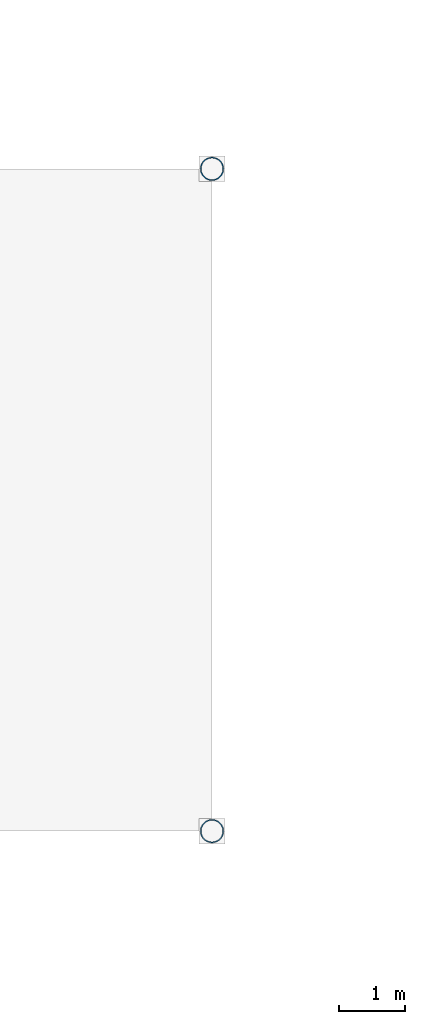
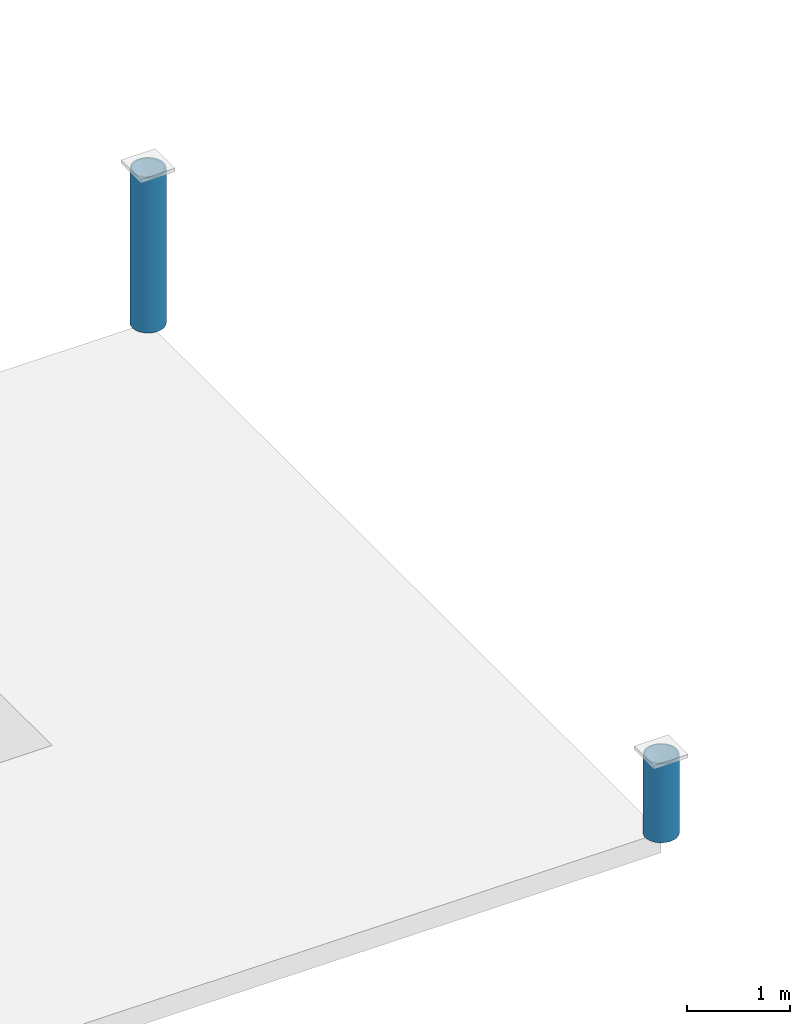
# One storey, part 2 of 23: 2 columns.
"""IFC4 building model written with IfcOpenShell, lengths in metres."""

from ifc_helpers import new_model, si_unit, direction, frame, origin, origin_2d, place, context, subcontext, project, spatial, hollow_circle, extrude, material, material_profile, profile_set, type_object, element, save


model = new_model("IFC4")

# Units and contexts
model_context = context("Model", 3, precision=1e-05, world=origin(), true_north=direction((0.0, 1.0)))
body_context = subcontext(model_context, "Body", "Model", "MODEL_VIEW")
ifc_project = project(units=[si_unit("LENGTHUNIT", "METRE"), si_unit("AREAUNIT", "SQUARE_METRE"), si_unit("VOLUMEUNIT", "CUBIC_METRE"), si_unit("PLANEANGLEUNIT", "RADIAN"), si_unit("MASSUNIT", "GRAM", prefix="KILO"), si_unit("THERMODYNAMICTEMPERATUREUNIT", "KELVIN"), si_unit("POWERUNIT", "WATT")], contexts=[model_context])

# Site, building, storey
site_placement = place(None, origin())
site = spatial("IfcSite", under=ifc_project, at=site_placement, CompositionType="ELEMENT")
building_placement = place(site_placement, origin())
building = spatial("IfcBuilding", under=site, at=building_placement, Name="Korenveer Ferry Terminal", CompositionType="ELEMENT")
storey_placement = place(building_placement, frame((0.0, 0.0, 14.39990234375)))
storey = spatial("IfcBuildingStorey", under=building, at=storey_placement, Name="L03", CompositionType="ELEMENT", Elevation=14.39990234375)

# Columns
ifc_material = material(Name="Steel S355", Category="steel")
ifc_material_profile = material_profile(ifc_material, hollow_circle(Radius=0.177734375, WallThickness=0.01611328125, at=origin_2d()), Name="CHS 355.6x16")
ifc_profile_set = profile_set([ifc_material_profile], Name="Steel S355")
column_type = type_object("IfcColumnType", Name="STR-COL-CHS355", PredefinedType="COLUMN", material=ifc_profile_set)
column_1_placement = place(storey_placement, frame((53.0, 70.0, 0.002197265625), z_axis=(0.0, 0.0, 1.0), x_axis=(1.0, 0.0, 0.0)))
element("IfcColumn", 1, at=column_1_placement, inside=storey, type_object=column_type, Name="Folded roof valley support column RCOL-X53-Y70", PredefinedType="COLUMN", context=body_context, shape_type="SweptSolid", body=[
    extrude(hollow_circle(Radius=0.177734375, WallThickness=0.01611328125, at=origin_2d()), origin(), (0.0, 0.0, 1.0), 0.936279296875),
])
column_2_placement = place(storey_placement, frame((53.0, 80.0, 0.002197265625), z_axis=(0.0, 0.0, 1.0), x_axis=(1.0, 0.0, 0.0)))
element("IfcColumn", 2, at=column_2_placement, inside=storey, type_object=column_type, Name="Folded roof valley support column RCOL-X53-Y80", PredefinedType="COLUMN", context=body_context, shape_type="SweptSolid", body=[
    extrude(hollow_circle(Radius=0.177734375, WallThickness=0.01611328125, at=origin_2d()), origin(), (0.0, 0.0, 1.0), 1.84423828125),
])

save(model, "model.ifc")
